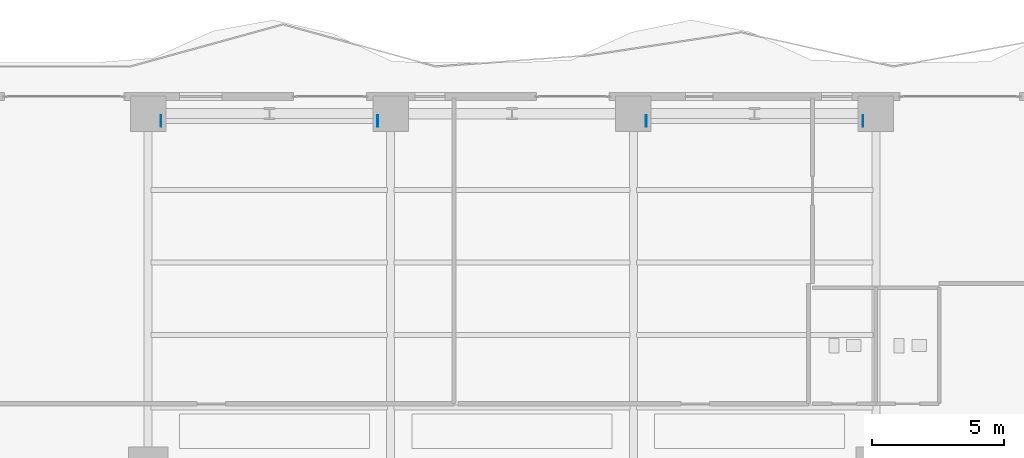
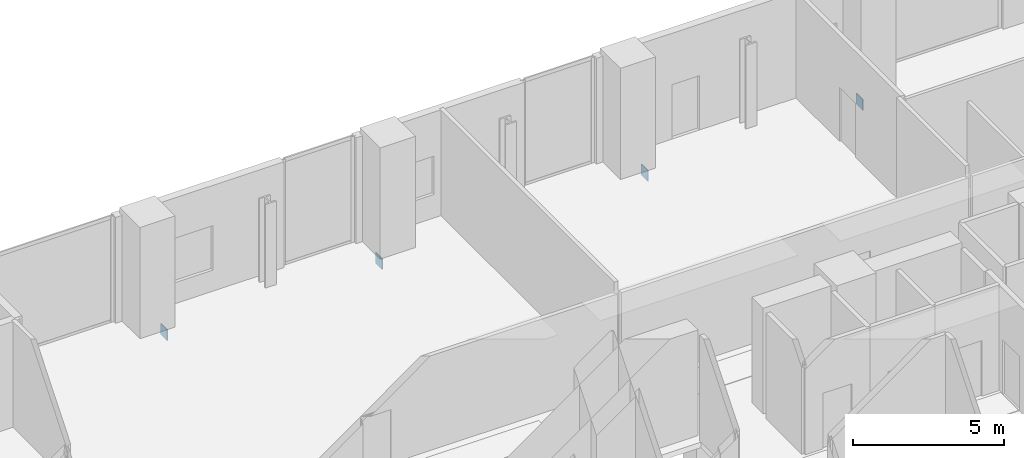
# One storey, part 25 of 33: 4 plates.
"""IFC4 building model written with IfcOpenShell, lengths in metres."""

from ifc_helpers import new_model, si_unit, direction, frame, origin, origin_2d, place, context, subcontext, project, spatial, rectangle, extrude, material, layer, layer_set, type_object, element, save


model = new_model("IFC4")

# Units and contexts
model_context = context("Model", 3, precision=1e-05, world=origin(), true_north=direction((0.0, 1.0)))
body_context = subcontext(model_context, "Body", "Model", "MODEL_VIEW")
ifc_project = project(units=[si_unit("LENGTHUNIT", "METRE"), si_unit("AREAUNIT", "SQUARE_METRE"), si_unit("VOLUMEUNIT", "CUBIC_METRE"), si_unit("PLANEANGLEUNIT", "RADIAN"), si_unit("MASSUNIT", "GRAM", prefix="KILO")], contexts=[model_context])

# Site, building, storey
site_placement = place(None, origin())
site = spatial("IfcSite", under=ifc_project, at=site_placement, CompositionType="ELEMENT")
building_placement = place(site_placement, origin())
building = spatial("IfcBuilding", under=site, at=building_placement, Name="Zuhayl Quay Hotel", CompositionType="ELEMENT")
storey_placement = place(building_placement, frame((0.0, 0.0, 154.050048828125)))
storey = spatial("IfcBuildingStorey", under=building, at=storey_placement, Name="L39", CompositionType="ELEMENT", Elevation=154.050048828125)

# Plates
ifc_material = material(Name="Steel ASTM A572 Grade 50", Category="steel")
ifc_layer = layer(ifc_material, 0.030029296875, Name="Steel ASTM A572 Grade 50", Category="steel")
ifc_layer_set = layer_set([ifc_layer], Name="Steel ASTM A572 Grade 50")
plate_type = type_object("IfcPlateType", Name="TP_CAP_PLATE_30", PredefinedType="USERDEFINED", material=ifc_layer_set)
for number, where, z_axis, x_axis, name in (
    (1, (-13.31201171875, 27.469970703125, -0.590087890625), (0.0, 0.0, 1.0), (-1.0, 0.0, 0.0), "Truss Node Cap Assembly KN2"),
    (2, (-5.087890625, 27.469970703125, -0.590087890625), (0.0, 0.0, 1.0), (1.0, 0.0, 0.0), "Truss Node Cap Assembly KN2"),
    (3, (5.087890625, 27.469970703125, -0.590087890625), (0.0, 0.0, 1.0), (-1.0, 0.0, 0.0), "Truss Node Cap Assembly KN2"),
    (4, (13.31201171875, 27.469970703125, -0.590087890625), (0.0, 0.0, 1.0), (1.0, 0.0, 0.0), "Truss Node Cap Assembly KN2"),
):
    element("IfcPlate", number, at=place(storey_placement, frame(where, z_axis=z_axis, x_axis=x_axis)), inside=storey, type_object=plate_type, Name=name, ObjectType="GUSSET PLATE", PredefinedType="USERDEFINED", context=body_context, shape_type="SweptSolid", body=[
        extrude(rectangle(XDim=0.030029296875, YDim=0.43994140625, at=origin_2d()), origin(), (0.0, 0.0, 1.0), 0.43994140625),
    ])

save(model, "model.ifc")
